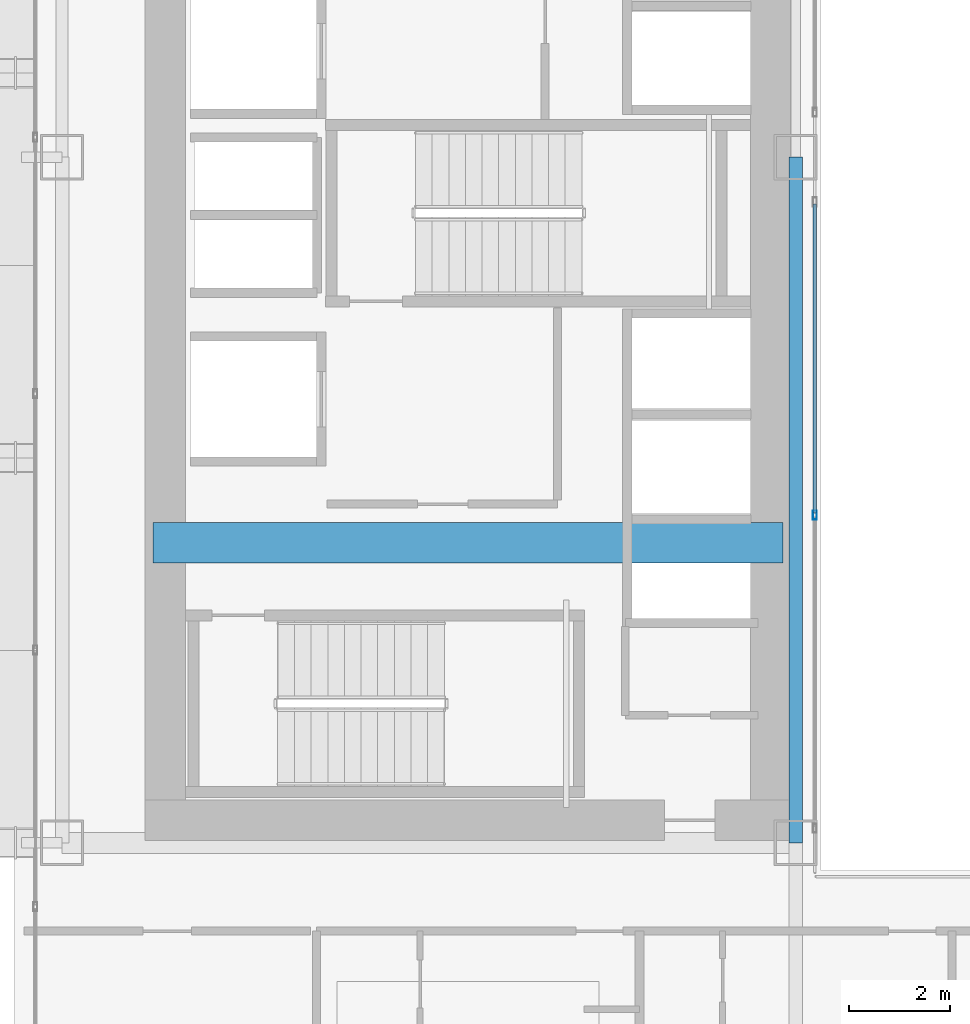
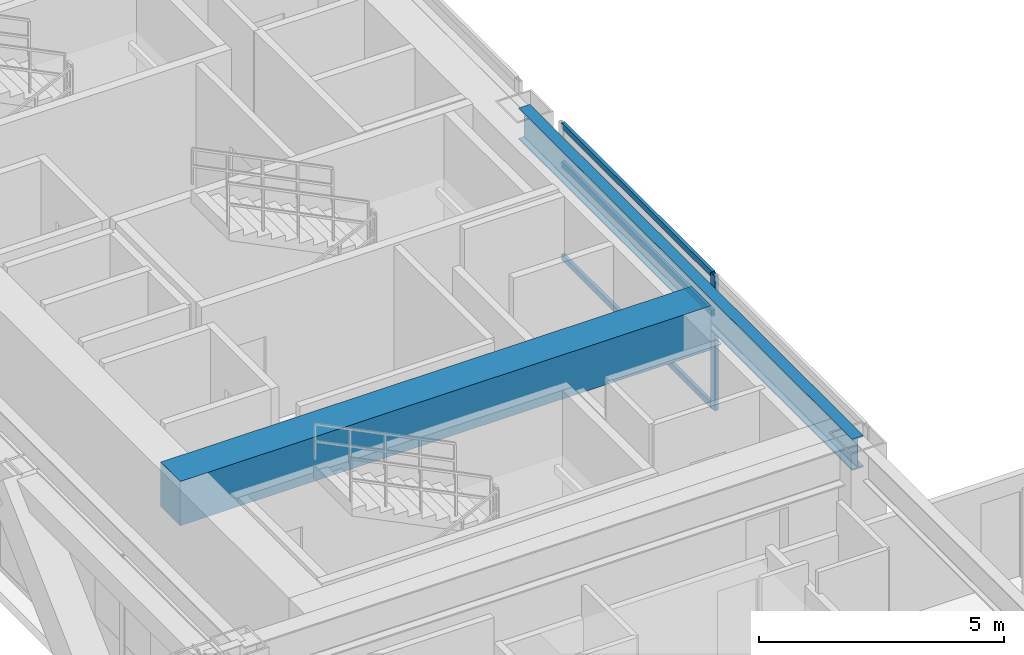
# One storey, part 8 of 41: 4 members, 2 beams, 1 element without a shape of its own.
"""IFC4 building model written with IfcOpenShell, lengths in metres."""

from ifc_helpers import new_model, si_unit, direction, frame, origin, origin_2d, place, context, subcontext, project, spatial, rectangle, hollow_rectangle, i_section, extrude, source, transform, mapped, material, layer, layer_set, material_profile, profile_set, type_object, element, aggregate, save


model = new_model("IFC4")

# Units and contexts
model_context = context("Model", 3, precision=1e-05, world=origin(), true_north=direction((0.0, 1.0)))
body_context = subcontext(model_context, "Body", "Model", "MODEL_VIEW")
ifc_project = project(units=[si_unit("LENGTHUNIT", "METRE"), si_unit("AREAUNIT", "SQUARE_METRE"), si_unit("VOLUMEUNIT", "CUBIC_METRE"), si_unit("PLANEANGLEUNIT", "RADIAN"), si_unit("MASSUNIT", "GRAM", prefix="KILO")], contexts=[model_context])

# Site, building, storey
site_placement = place(None, origin())
site = spatial("IfcSite", under=ifc_project, at=site_placement, CompositionType="ELEMENT")
building_placement = place(site_placement, origin())
building = spatial("IfcBuilding", under=site, at=building_placement, Name="Ocotamira Hotel", CompositionType="ELEMENT")
storey_placement = place(building_placement, frame((0.0, 0.0, 52.800048828125)))
storey = spatial("IfcBuildingStorey", under=building, at=storey_placement, Name="L12", CompositionType="ELEMENT", Elevation=52.800048828125)

# Beams
ifc_material_1 = material(Name="Concrete C60/75", Category="concrete")
ifc_material_profile_1 = material_profile(ifc_material_1, rectangle(XDim=0.800048828125, YDim=1.10009765625, at=origin_2d()), Name="RC800X1100")
ifc_profile_set_1 = profile_set([ifc_material_profile_1], Name="Concrete C60/75")
beam_type_1 = type_object("IfcBeamType", Name="BM-LINK-RC800", PredefinedType="LINTEL", material=ifc_profile_set_1)
shared_shape_1 = source(origin(), body_context, "Body", "SweptSolid", [
    extrude(rectangle(XDim=0.800048828125, YDim=1.10009765625, at=origin_2d()), origin(), (0.0, 0.0, 1.0), 12.5),
])
beam_1_placement = place(storey_placement, frame((10.75, 20.5, 2.800048828125), z_axis=(1.0, 0.0, 0.0), x_axis=(0.0, 1.0, 0.0)))
element("IfcBeam", 1, at=beam_1_placement, inside=storey, type_object=beam_type_1, Name="L12 West Core Coupling Beam", PredefinedType="LINTEL", context=body_context, shape_type="MappedRepresentation", body=[
    mapped(shared_shape_1, transform((0.0, 0.0, 0.0), scale=1.0)),
])
ifc_material_2 = material(Name="Steel ASTM A992 Grade 50", Category="steel")
ifc_material_profile_2 = material_profile(ifc_material_2, i_section(OverallWidth=0.26611328125, OverallDepth=0.779052734375, WebThickness=0.0166015625, FlangeThickness=0.030029296875, FilletRadius=0.01806640625, at=origin_2d()), Name="W30X148")
ifc_profile_set_2 = profile_set([ifc_material_profile_2], Name="Steel ASTM A992 Grade 50")
beam_type_2 = type_object("IfcBeamType", Name="BM-GIRD-W30X148", PredefinedType="BEAM", material=ifc_profile_set_2)
shared_shape_2 = source(origin(), body_context, "Body", "SweptSolid", [
    extrude(i_section(OverallWidth=0.26611328125, OverallDepth=0.779052734375, WebThickness=0.0166015625, FlangeThickness=0.030029296875, FilletRadius=0.01806640625, at=origin_2d()), origin(), (0.0, 0.0, 1.0), 13.599853515625),
])
beam_2_placement = place(storey_placement, frame((23.5, 14.550048828125, 2.96044921875), z_axis=(0.0, 1.0, 0.0), x_axis=(-1.0, 0.0, 0.0)))
element("IfcBeam", 2, at=beam_2_placement, inside=storey, type_object=beam_type_2, Name="L12 Beam X23.5 Y14.55-28.15", PredefinedType="BEAM", context=body_context, shape_type="MappedRepresentation", body=[
    mapped(shared_shape_2, transform((0.0, 0.0, 0.0), scale=1.0)),
])

# Curtain wall, members
ifc_material_3 = material(Name="Anodised pale-metal aluminium and solar glass", Category="aluminium")
ifc_layer = layer(ifc_material_3, 0.159912109375)
ifc_layer_set = layer_set([ifc_layer], Name="Anodised pale-metal aluminium and solar glass")
curtain_wall_type = type_object("IfcCurtainWallType", Name="CW-SYS6-ATR", PredefinedType="NOTDEFINED", material=ifc_layer_set)
curtain_wall_placement = place(storey_placement, origin())
curtain_wall = element("IfcCurtainWall", 3, at=curtain_wall_placement, inside=storey, type_object=curtain_wall_type, Name="L12 Curtain Wall CW-6 CW-L12-ATRW1", PredefinedType="NOTDEFINED")
ifc_material_4 = material(Name="Anodised pale-metal aluminium 6063-T6", Category="aluminium")
ifc_material_profile_3 = material_profile(ifc_material_4, hollow_rectangle(XDim=0.080078125, YDim=0.179931640625, WallThickness=0.006103515625, at=origin_2d()), Name="HSS180X80X6")
ifc_profile_set_3 = profile_set([ifc_material_profile_3], Name="Anodised pale-metal aluminium 6063-T6")
member_type_1 = type_object("IfcMemberType", Name="CWM-180X75", PredefinedType="MULLION", material=ifc_profile_set_3)
shared_shape_3 = source(origin(), body_context, "Body", "SweptSolid", [
    extrude(hollow_rectangle(XDim=0.080078125, YDim=0.179931640625, WallThickness=0.006103515625, at=origin_2d()), origin(), (0.0, 0.0, 1.0), 3.349853515625),
])
member_1_placement = place(storey_placement, frame((23.8798828125, 21.050048828125, 0.0), z_axis=(0.0, 0.0, 1.0), x_axis=(-1.0, 0.0, 0.0)))
member_1 = element("IfcMember", 4, at=member_1_placement, type_object=member_type_1, Name="CW-6 mullion 2", PredefinedType="MULLION", context=body_context, shape_type="MappedRepresentation", body=[
    mapped(shared_shape_3, transform((0.0, 0.0, 0.0), scale=1.0)),
])
ifc_material_profile_4 = material_profile(ifc_material_4, hollow_rectangle(XDim=0.074951171875, YDim=0.14990234375, WallThickness=0.006103515625, at=origin_2d()), Name="HSS150X75X6")
ifc_profile_set_4 = profile_set([ifc_material_profile_4], Name="Anodised pale-metal aluminium 6063-T6")
member_type_2 = type_object("IfcMemberType", Name="CWT-150X75", PredefinedType="USERDEFINED", material=ifc_profile_set_4)
shared_shape_4 = source(origin(), body_context, "Body", "SweptSolid", [
    extrude(hollow_rectangle(XDim=0.074951171875, YDim=0.14990234375, WallThickness=0.006103515625, at=origin_2d()), origin(), (0.0, 0.0, 1.0), 6.1298828125),
])
member_2_placement = place(storey_placement, frame((23.8798828125, 21.090087890625, 0.037353515625), z_axis=(0.0, 1.0, 0.0), x_axis=(-1.0, 0.0, 0.0)))
member_2 = element("IfcMember", 5, at=member_2_placement, type_object=member_type_2, Name="CW-6 transom 2.1", ObjectType="TRANSOM", PredefinedType="USERDEFINED", context=body_context, shape_type="MappedRepresentation", body=[
    mapped(shared_shape_4, transform((0.0, 0.0, 0.0), scale=1.0)),
])
member_3_placement = place(storey_placement, frame((23.8798828125, 21.090087890625, 2.349853515625), z_axis=(0.0, 1.0, 0.0), x_axis=(-1.0, 0.0, 0.0)))
member_3 = element("IfcMember", 6, at=member_3_placement, type_object=member_type_2, Name="CW-6 transom 2.2", ObjectType="TRANSOM", PredefinedType="USERDEFINED", context=body_context, shape_type="MappedRepresentation", body=[
    mapped(shared_shape_4, transform((0.0, 0.0, 0.0), scale=1.0)),
])
member_4_placement = place(storey_placement, frame((23.8798828125, 21.090087890625, 3.3125), z_axis=(0.0, 1.0, 0.0), x_axis=(-1.0, 0.0, 0.0)))
member_4 = element("IfcMember", 7, at=member_4_placement, type_object=member_type_2, Name="CW-6 transom 2.3", ObjectType="TRANSOM", PredefinedType="USERDEFINED", context=body_context, shape_type="MappedRepresentation", body=[
    mapped(shared_shape_4, transform((0.0, 0.0, 0.0), scale=1.0)),
])
aggregate(curtain_wall, [member_1, member_2, member_3, member_4])

save(model, "model.ifc")
